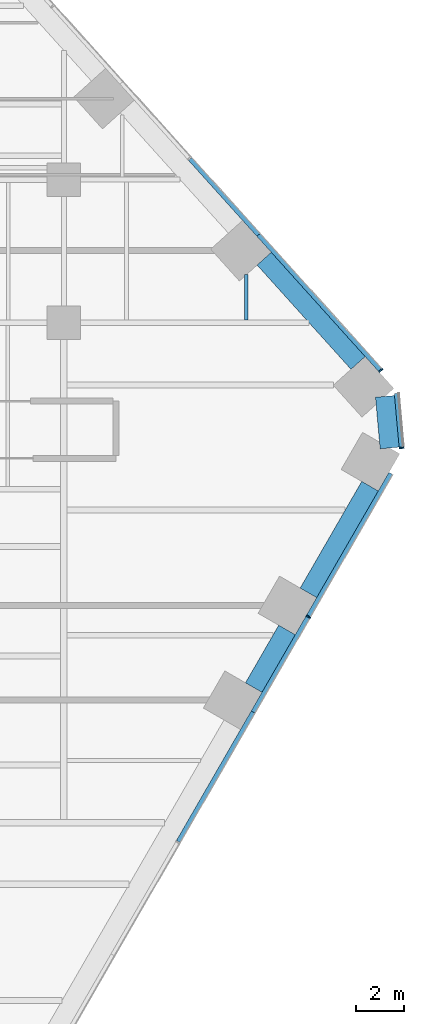
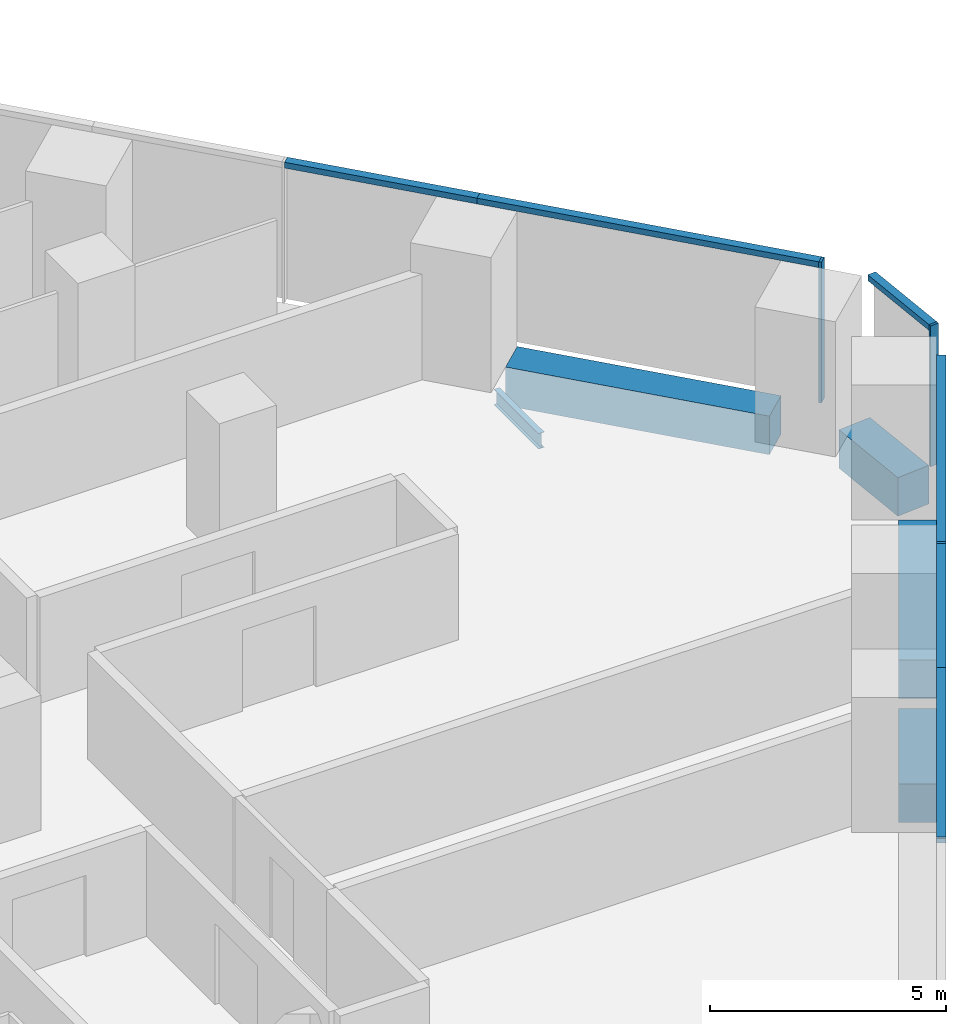
# One storey, part 11 of 21: 9 members, 5 beams, 3 elements without a shape of their own.
"""IFC4 building model written with IfcOpenShell, lengths in metres."""

from ifc_helpers import new_model, si_unit, direction, frame, origin, origin_2d, place, context, subcontext, project, spatial, rectangle, i_section, extrude, material, layer, layer_set, material_profile, profile_set, type_object, element, aggregate, save


model = new_model("IFC4")

# Units and contexts
model_context = context("Model", 3, precision=1e-05, world=origin(), true_north=direction((0.0, 1.0)))
body_context = subcontext(model_context, "Body", "Model", "MODEL_VIEW")
ifc_project = project(units=[si_unit("LENGTHUNIT", "METRE"), si_unit("AREAUNIT", "SQUARE_METRE"), si_unit("VOLUMEUNIT", "CUBIC_METRE"), si_unit("PLANEANGLEUNIT", "RADIAN"), si_unit("MASSUNIT", "GRAM", prefix="KILO")], contexts=[model_context])

# Site, building, storey
site_placement = place(None, origin())
site = spatial("IfcSite", under=ifc_project, at=site_placement, CompositionType="ELEMENT")
building_placement = place(site_placement, origin())
building = spatial("IfcBuilding", under=site, at=building_placement, Name="Isthmus Gate Tower", CompositionType="ELEMENT")
storey_placement = place(building_placement, frame((0.0, 0.0, 50.60009765625)))
storey = spatial("IfcBuildingStorey", under=building, at=storey_placement, Name="L10", CompositionType="ELEMENT", Elevation=50.60009765625)

# Curtain wall, member
ifc_material_1 = material(Name="Aluminium, pale champagne anodised", Category="aluminium")
ifc_layer = layer(ifc_material_1, 0.199951171875)
ifc_layer_set = layer_set([ifc_layer], Name="CW-1 UNITISED CURTAIN WALL 200 DEEP")
curtain_wall_type = type_object("IfcCurtainWallType", Name="CW-1 UNITISED CURTAIN WALL 200 DEEP", PredefinedType="NOTDEFINED", material=ifc_layer_set)
curtain_wall_1_placement = place(storey_placement, origin())
curtain_wall_1 = element("IfcCurtainWall", 1, at=curtain_wall_1_placement, inside=storey, type_object=curtain_wall_type, Name="CW-1 SE L10", PredefinedType="NOTDEFINED")
ifc_material_2 = material(Name="Aluminium, pale champagne anodised", Category="aluminium")
ifc_material_profile_1 = material_profile(ifc_material_2, rectangle(XDim=0.06005859375, YDim=0.199951171875, at=origin_2d()), Name="60x200")
ifc_profile_set_1 = profile_set([ifc_material_profile_1], Name="Aluminium, pale champagne anodised")
member_type_1 = type_object("IfcMemberType", Name="CW-1 MULLION 60 X 200", PredefinedType="MULLION", material=ifc_profile_set_1)
member_1_placement = place(storey_placement, frame((34.267822265625, -4.846435546875, 0.0), z_axis=(0.0, 0.0, 1.0), x_axis=(0.5, 0.866025403784, 0.0)))
member_1 = element("IfcMember", 2, at=member_1_placement, type_object=member_type_1, Name="CW-1 mullion", PredefinedType="MULLION", context=body_context, shape_type="SweptSolid", body=[
    extrude(rectangle(XDim=0.06005859375, YDim=0.199951171875, at=origin_2d()), origin(), (0.0, 0.0, 1.0), 3.64990234375),
])

curtain_wall_2_placement = place(storey_placement, origin())
curtain_wall_2 = element("IfcCurtainWall", 3, at=curtain_wall_2_placement, inside=storey, type_object=curtain_wall_type, Name="CW-1 SE-NE L10", PredefinedType="NOTDEFINED")
member_2_placement = place(storey_placement, frame((38.178955078125, 2.24169921875, 0.0), z_axis=(0.0, 0.0, 1.0), x_axis=(-0.089396669717, 0.995996102123, 0.0)))
member_2 = element("IfcMember", 4, at=member_2_placement, type_object=member_type_1, Name="CW-1 mullion", PredefinedType="MULLION", context=body_context, shape_type="SweptSolid", body=[
    extrude(rectangle(XDim=0.06005859375, YDim=0.199951171875, at=origin_2d()), origin(), (0.0, 0.0, 1.0), 3.64990234375),
])

curtain_wall_3_placement = place(storey_placement, origin())
curtain_wall_3 = element("IfcCurtainWall", 5, at=curtain_wall_3_placement, inside=storey, type_object=curtain_wall_type, Name="CW-1 NE L10", PredefinedType="NOTDEFINED")
member_3_placement = place(storey_placement, frame((37.306640625, 5.494384765625, 0.0), z_axis=(0.0, 0.0, 1.0), x_axis=(-0.669130606359, 0.743144825477, 0.0)))
member_3 = element("IfcMember", 6, at=member_3_placement, type_object=member_type_1, Name="CW-1 mullion", PredefinedType="MULLION", context=body_context, shape_type="SweptSolid", body=[
    extrude(rectangle(XDim=0.06005859375, YDim=0.199951171875, at=origin_2d()), origin(), (0.0, 0.0, 1.0), 3.64990234375),
])

# Member
ifc_material_3 = material(Name="Aluminium, pale champagne anodised", Category="aluminium")
ifc_material_profile_2 = material_profile(ifc_material_3, rectangle(XDim=0.199951171875, YDim=0.14990234375, at=origin_2d()), Name="200x150")
ifc_profile_set_2 = profile_set([ifc_material_profile_2], Name="Aluminium, pale champagne anodised")
member_type_2 = type_object("IfcMemberType", Name="CW-1 TRANSOM 200 X 150", PredefinedType="USERDEFINED", material=ifc_profile_set_2)
member_4_placement = place(storey_placement, frame((28.817138671875, -14.287353515625, 3.574951171875), z_axis=(0.499995104884, 0.866028229963, 0.0), x_axis=(-0.866028229963, 0.499995104884, 0.0)))
member_4 = element("IfcMember", 7, at=member_4_placement, type_object=member_type_2, Name="CW-1 transom", ObjectType="TRANSOM", PredefinedType="USERDEFINED", context=body_context, shape_type="SweptSolid", body=[
    extrude(rectangle(XDim=0.199951171875, YDim=0.14990234375, at=origin_2d()), origin(), (0.0, 0.0, 1.0), 6.2783203125),
])

member_5_placement = place(storey_placement, frame((31.956298828125, -8.85009765625, 3.574951171875), z_axis=(0.499992401796, 0.866029790565, 0.0), x_axis=(-0.866029790565, 0.499992401796, 0.0)))
member_5 = element("IfcMember", 8, at=member_5_placement, type_object=member_type_2, Name="CW-1 transom", ObjectType="TRANSOM", PredefinedType="USERDEFINED", context=body_context, shape_type="SweptSolid", body=[
    extrude(rectangle(XDim=0.199951171875, YDim=0.14990234375, at=origin_2d()), origin(), (0.0, 0.0, 1.0), 4.5927734375),
])

member_6_placement = place(storey_placement, frame((34.28271484375, -4.820556640625, 3.574951171875), z_axis=(0.500003839917, 0.866023186796, 0.0), x_axis=(-0.866023186796, 0.500003839917, 0.0)))
member_6 = element("IfcMember", 9, at=member_6_placement, type_object=member_type_2, Name="CW-1 transom", ObjectType="TRANSOM", PredefinedType="USERDEFINED", context=body_context, shape_type="SweptSolid", body=[
    extrude(rectangle(XDim=0.199951171875, YDim=0.14990234375, at=origin_2d()), origin(), (0.0, 0.0, 1.0), 6.90966796875),
])

aggregate(curtain_wall_1, [member_4, member_5, member_1, member_6])

member_7_placement = place(storey_placement, frame((38.17626953125, 2.271728515625, 3.574951171875), z_axis=(-0.089395362867, 0.995996219419, 0.0), x_axis=(-0.995996219419, -0.089395362867, 0.0)))
member_7 = element("IfcMember", 10, at=member_7_placement, type_object=member_type_2, Name="CW-1 transom", ObjectType="TRANSOM", PredefinedType="USERDEFINED", context=body_context, shape_type="SweptSolid", body=[
    extrude(rectangle(XDim=0.199951171875, YDim=0.14990234375, at=origin_2d()), origin(), (0.0, 0.0, 1.0), 2.258544921875),
])

aggregate(curtain_wall_2, [member_2, member_7])

member_8_placement = place(storey_placement, frame((37.28662109375, 5.5166015625, 3.574951171875), z_axis=(-0.66912913739, 0.74314614814, 0.0), x_axis=(-0.74314614814, -0.66912913739, 0.0)))
member_8 = element("IfcMember", 11, at=member_8_placement, type_object=member_type_2, Name="CW-1 transom", ObjectType="TRANSOM", PredefinedType="USERDEFINED", context=body_context, shape_type="SweptSolid", body=[
    extrude(rectangle(XDim=0.199951171875, YDim=0.14990234375, at=origin_2d()), origin(), (0.0, 0.0, 1.0), 7.62939453125),
])

member_9_placement = place(storey_placement, frame((32.181640625, 11.186279296875, 3.574951171875), z_axis=(-0.669131169216, 0.743144318678, 0.0), x_axis=(-0.743144318678, -0.669131169216, 0.0)))
member_9 = element("IfcMember", 12, at=member_9_placement, type_object=member_type_2, Name="CW-1 transom", ObjectType="TRANSOM", PredefinedType="USERDEFINED", context=body_context, shape_type="SweptSolid", body=[
    extrude(rectangle(XDim=0.199951171875, YDim=0.14990234375, at=origin_2d()), origin(), (0.0, 0.0, 1.0), 4.294677734375),
])

aggregate(curtain_wall_3, [member_3, member_8, member_9])

# Beams
ifc_material_4 = material(Name="Concrete f'c 70 MPa", Category="concrete")
ifc_material_profile_3 = material_profile(ifc_material_4, rectangle(XDim=0.800048828125, YDim=1.0, at=origin_2d()), Name="RC 800X1000")
ifc_profile_set_3 = profile_set([ifc_material_profile_3], Name="Concrete f'c 70 MPa")
beam_type_1 = type_object("IfcBeamType", Name="RC SPANDREL 800 X 1000", PredefinedType="SPANDREL", material=ifc_profile_set_3)
beam_1_placement = place(storey_placement, frame((32.412353515625, 10.182861328125, -0.5), z_axis=(0.669138782017, -0.743137464001, 0.0), x_axis=(0.743137464001, 0.669138782017, 0.0)))
element("IfcBeam", 13, at=beam_1_placement, inside=storey, type_object=beam_type_1, Name="str-spandrel-L10-04", PredefinedType="SPANDREL", context=body_context, shape_type="SweptSolid", body=[
    extrude(rectangle(XDim=0.800048828125, YDim=1.0, at=origin_2d()), origin(), (0.0, 0.0, 1.0), 5.88916015625),
])
beam_2_placement = place(storey_placement, frame((37.483154296875, 4.40185546875, -0.5), z_axis=(0.089421511639, -0.995993872098, 0.0), x_axis=(0.995993872098, 0.089421511639, 0.0)))
element("IfcBeam", 14, at=beam_2_placement, inside=storey, type_object=beam_type_1, Name="str-spandrel-L10-05", PredefinedType="SPANDREL", context=body_context, shape_type="SweptSolid", body=[
    extrude(rectangle(XDim=0.800048828125, YDim=1.0, at=origin_2d()), origin(), (0.0, 0.0, 1.0), 2.17333984375),
])
beam_3_placement = place(storey_placement, frame((36.8544921875, 0.6337890625, -0.5), z_axis=(-0.50000453793, -0.866022783793, 0.0), x_axis=(0.866022783793, -0.50000453793, 0.0)))
element("IfcBeam", 15, at=beam_3_placement, inside=storey, type_object=beam_type_1, Name="str-spandrel-L10-06", PredefinedType="SPANDREL", context=body_context, shape_type="SweptSolid", body=[
    extrude(rectangle(XDim=0.800048828125, YDim=1.0, at=origin_2d()), origin(), (0.0, 0.0, 1.0), 5.16943359375),
])
beam_4_placement = place(storey_placement, frame((33.369873046875, -5.40185546875, -0.5), z_axis=(-0.500012514453, -0.866018178441, 0.0), x_axis=(0.866018178441, -0.500012514453, 0.0)))
element("IfcBeam", 16, at=beam_4_placement, inside=storey, type_object=beam_type_1, Name="str-spandrel-L10-07", PredefinedType="SPANDREL", context=body_context, shape_type="SweptSolid", body=[
    extrude(rectangle(XDim=0.800048828125, YDim=1.0, at=origin_2d()), origin(), (0.0, 0.0, 1.0), 2.79296875),
])
ifc_material_5 = material(Name="Structural steel ASTM A992 Gr 50", Category="steel")
ifc_material_profile_4 = material_profile(ifc_material_5, i_section(OverallWidth=0.1396484375, OverallDepth=0.4033203125, WebThickness=0.00634765625, FlangeThickness=0.010986328125, at=origin_2d()), Name="W16X31")
ifc_profile_set_4 = profile_set([ifc_material_profile_4], Name="Structural steel ASTM A992 Gr 50")
beam_type_2 = type_object("IfcBeamType", Name="STEEL FLOOR BEAM W16X31", PredefinedType="JOIST", material=ifc_profile_set_4)
beam_5_placement = place(storey_placement, frame((31.666259765625, 7.6142578125, -0.351806640625), z_axis=(0.0, 1.0, 0.0), x_axis=(-1.0, 0.0, 0.0)))
element("IfcBeam", 17, at=beam_5_placement, inside=storey, type_object=beam_type_2, Name="str-beam-L10-33-01", PredefinedType="JOIST", context=body_context, shape_type="SweptSolid", body=[
    extrude(i_section(OverallWidth=0.1396484375, OverallDepth=0.4033203125, WebThickness=0.00634765625, FlangeThickness=0.010986328125, at=origin_2d()), origin(), (0.0, 0.0, 1.0), 1.89697265625),
])

save(model, "model.ifc")
